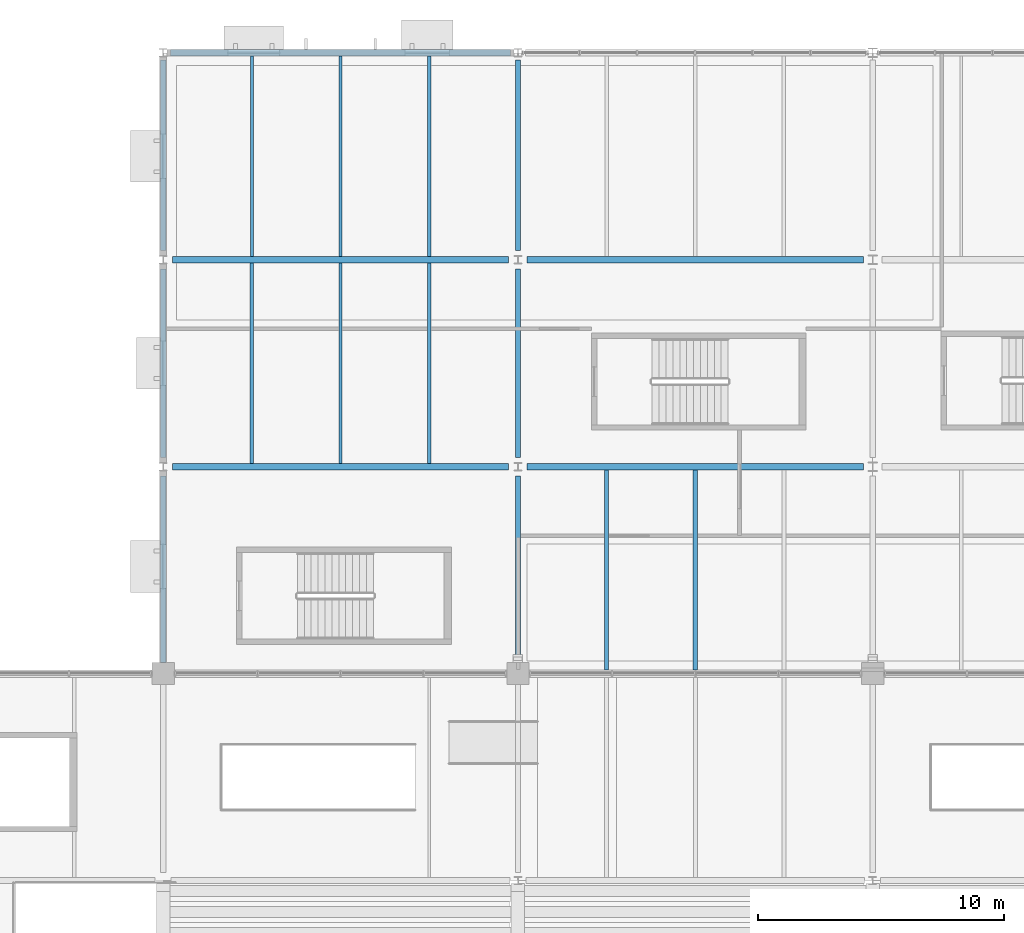
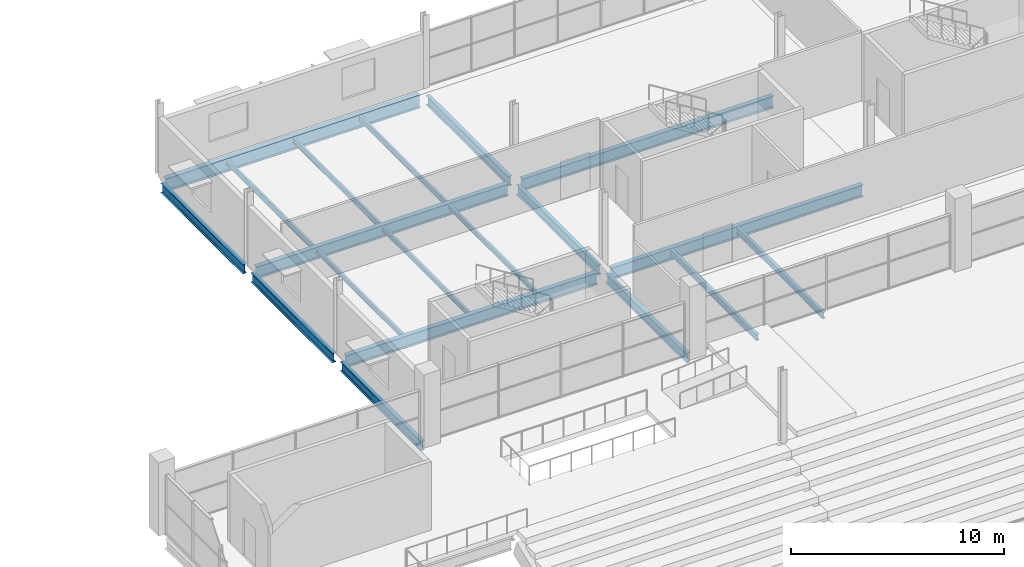
# One storey, part 60 of 161: 19 beams.
"""IFC4 building model written with IfcOpenShell, lengths in metres."""

from ifc_helpers import new_model, si_unit, direction, frame, origin, origin_2d, place, context, subcontext, project, spatial, i_section, extrude, material, material_profile, profile_set, type_object, element, save


model = new_model("IFC4")

# Units and contexts
model_context = context("Model", 3, precision=1e-05, world=origin(), true_north=direction((0.0, 1.0)))
body_context = subcontext(model_context, "Body", "Model", "MODEL_VIEW")
ifc_project = project(units=[si_unit("LENGTHUNIT", "METRE"), si_unit("AREAUNIT", "SQUARE_METRE"), si_unit("VOLUMEUNIT", "CUBIC_METRE"), si_unit("PLANEANGLEUNIT", "RADIAN"), si_unit("MASSUNIT", "GRAM", prefix="KILO"), si_unit("THERMODYNAMICTEMPERATUREUNIT", "KELVIN")], contexts=[model_context])

# Site, building, storey
site_placement = place(None, origin())
site = spatial("IfcSite", under=ifc_project, at=site_placement, CompositionType="ELEMENT")
building_placement = place(site_placement, origin())
building = spatial("IfcBuilding", under=site, at=building_placement, Name="Nduvali Passage Aquatics Centre", CompositionType="ELEMENT")
storey_placement = place(building_placement, frame((0.0, 0.0, 4.800048828125)))
storey = spatial("IfcBuildingStorey", under=building, at=storey_placement, Name="L01", CompositionType="ELEMENT", Elevation=4.800048828125)

# Beams
ifc_material = material(Name="Steel S355", Category="steel")
ifc_material_profile_1 = material_profile(ifc_material, i_section(OverallWidth=0.210693359375, OverallDepth=0.53955078125, WebThickness=0.01171875, FlangeThickness=0.018798828125, FilletRadius=0.0126953125, at=origin_2d()), Name="UKB 533x210x109")
ifc_profile_set_1 = profile_set([ifc_material_profile_1], Name="Steel S355")
beam_type_1 = type_object("IfcBeamType", Name="STR-BM-UKB533", PredefinedType="BEAM", material=ifc_profile_set_1)
beam_1_placement = place(storey_placement, frame((54.0, 92.85009765625, -0.553955078125), z_axis=(0.0, 1.0, 0.0), x_axis=(-1.0, 0.0, 0.0)))
element("IfcBeam", 1, at=beam_1_placement, inside=storey, type_object=beam_type_1, Name="L01 Primary Y-Girder B6-0589", PredefinedType="BEAM", context=body_context, shape_type="SweptSolid", body=[
    extrude(i_section(OverallWidth=0.210693359375, OverallDepth=0.53955078125, WebThickness=0.01171875, FlangeThickness=0.018798828125, FilletRadius=0.0126953125, at=origin_2d()), origin(), (0.0, 0.0, 1.0), 7.574951171875),
])
beam_2_placement = place(storey_placement, frame((54.0, 101.175048828125, -0.553955078125), z_axis=(0.0, 1.0, 0.0), x_axis=(-1.0, 0.0, 0.0)))
element("IfcBeam", 2, at=beam_2_placement, inside=storey, type_object=beam_type_1, Name="L01 Primary Y-Girder B6-0590", PredefinedType="BEAM", context=body_context, shape_type="SweptSolid", body=[
    extrude(i_section(OverallWidth=0.210693359375, OverallDepth=0.53955078125, WebThickness=0.01171875, FlangeThickness=0.018798828125, FilletRadius=0.0126953125, at=origin_2d()), origin(), (0.0, 0.0, 1.0), 7.64990234375),
])
beam_3_placement = place(storey_placement, frame((54.0, 109.574951171875, -0.553955078125), z_axis=(0.0, 1.0, 0.0), x_axis=(-1.0, 0.0, 0.0)))
element("IfcBeam", 3, at=beam_3_placement, inside=storey, type_object=beam_type_1, Name="L01 Primary Y-Girder B6-0591", PredefinedType="BEAM", context=body_context, shape_type="SweptSolid", body=[
    extrude(i_section(OverallWidth=0.210693359375, OverallDepth=0.53955078125, WebThickness=0.01171875, FlangeThickness=0.018798828125, FilletRadius=0.0126953125, at=origin_2d()), origin(), (0.0, 0.0, 1.0), 7.72509765625),
])
ifc_material_profile_2 = material_profile(ifc_material, i_section(OverallWidth=0.210693359375, OverallDepth=0.53955078125, WebThickness=0.01171875, FlangeThickness=0.018798828125, FilletRadius=0.0126953125, at=origin_2d()), Name="UKB 533x210x109")
ifc_profile_set_2 = profile_set([ifc_material_profile_2], Name="Steel S355")
beam_type_2 = type_object("IfcBeamType", Name="STR-BM-UKB533-EXT", PredefinedType="BEAM", material=ifc_profile_set_2)
beam_4_placement = place(storey_placement, frame((39.60009765625, 92.85009765625, -0.553955078125), z_axis=(0.0, 1.0, 0.0), x_axis=(-1.0, 0.0, 0.0)))
element("IfcBeam", 4, at=beam_4_placement, inside=storey, type_object=beam_type_2, Name="L01 Primary Y-Girder B6E-0581", PredefinedType="BEAM", context=body_context, shape_type="SweptSolid", body=[
    extrude(i_section(OverallWidth=0.210693359375, OverallDepth=0.53955078125, WebThickness=0.01171875, FlangeThickness=0.018798828125, FilletRadius=0.0126953125, at=origin_2d()), origin(), (0.0, 0.0, 1.0), 7.574951171875),
])
beam_5_placement = place(storey_placement, frame((39.60009765625, 101.175048828125, -0.553955078125), z_axis=(0.0, 1.0, 0.0), x_axis=(-1.0, 0.0, 0.0)))
element("IfcBeam", 5, at=beam_5_placement, inside=storey, type_object=beam_type_2, Name="L01 Primary Y-Girder B6E-0582", PredefinedType="BEAM", context=body_context, shape_type="SweptSolid", body=[
    extrude(i_section(OverallWidth=0.210693359375, OverallDepth=0.53955078125, WebThickness=0.01171875, FlangeThickness=0.018798828125, FilletRadius=0.0126953125, at=origin_2d()), origin(), (0.0, 0.0, 1.0), 7.64990234375),
])
beam_6_placement = place(storey_placement, frame((39.60009765625, 109.574951171875, -0.553955078125), z_axis=(0.0, 1.0, 0.0), x_axis=(-1.0, 0.0, 0.0)))
element("IfcBeam", 6, at=beam_6_placement, inside=storey, type_object=beam_type_2, Name="L01 Primary Y-Girder B6E-0583", PredefinedType="BEAM", context=body_context, shape_type="SweptSolid", body=[
    extrude(i_section(OverallWidth=0.210693359375, OverallDepth=0.53955078125, WebThickness=0.01171875, FlangeThickness=0.018798828125, FilletRadius=0.0126953125, at=origin_2d()), origin(), (0.0, 0.0, 1.0), 7.72509765625),
])
ifc_material_profile_3 = material_profile(ifc_material, i_section(OverallWidth=0.253662109375, OverallDepth=0.68359375, WebThickness=0.012451171875, FlangeThickness=0.01904296875, FilletRadius=0.01513671875, at=origin_2d()), Name="UKB 686x254x140")
ifc_profile_set_3 = profile_set([ifc_material_profile_3], Name="Steel S355")
beam_type_3 = type_object("IfcBeamType", Name="STR-BM-UKB686", PredefinedType="BEAM", material=ifc_profile_set_3)
for number, where, z_axis, x_axis, name in (
    (7, (39.97509765625, 100.800048828125, -0.625732421875), (1.0, 0.0, 0.0), (0.0, 1.0, 0.0), "L01 Primary X-Girder B4-0537"),
    (8, (54.375, 100.800048828125, -0.625732421875), (1.0, 0.0, 0.0), (0.0, 1.0, 0.0), "L01 Primary X-Girder B4-0538"),
    (9, (39.97509765625, 109.199951171875, -0.625732421875), (1.0, 0.0, 0.0), (0.0, 1.0, 0.0), "L01 Primary X-Girder B4-0544"),
    (10, (54.375, 109.199951171875, -0.625732421875), (1.0, 0.0, 0.0), (0.0, 1.0, 0.0), "L01 Primary X-Girder B4-0545"),
):
    element("IfcBeam", number, at=place(storey_placement, frame(where, z_axis=z_axis, x_axis=x_axis)), inside=storey, type_object=beam_type_3, Name=name, PredefinedType="BEAM", context=body_context, shape_type="SweptSolid", body=[
        extrude(i_section(OverallWidth=0.253662109375, OverallDepth=0.68359375, WebThickness=0.012451171875, FlangeThickness=0.01904296875, FilletRadius=0.01513671875, at=origin_2d()), origin(), (0.0, 0.0, 1.0), 13.64990234375),
    ])
ifc_material_profile_4 = material_profile(ifc_material, i_section(OverallWidth=0.2666015625, OverallDepth=0.76220703125, WebThickness=0.014404296875, FlangeThickness=0.021484375, FilletRadius=0.0166015625, at=origin_2d()), Name="UKB 762x267x173")
ifc_profile_set_4 = profile_set([ifc_material_profile_4], Name="Steel S355")
beam_type_4 = type_object("IfcBeamType", Name="STR-BM-UKB762-EXT", PredefinedType="BEAM", material=ifc_profile_set_4)
beam_7_placement = place(storey_placement, frame((39.89990234375, 117.60009765625, -0.6650390625), z_axis=(1.0, 0.0, 0.0), x_axis=(0.0, 1.0, 0.0)))
element("IfcBeam", 11, at=beam_7_placement, inside=storey, type_object=beam_type_4, Name="L01 Primary X-Girder B4CE-0551", PredefinedType="BEAM", context=body_context, shape_type="SweptSolid", body=[
    extrude(i_section(OverallWidth=0.2666015625, OverallDepth=0.76220703125, WebThickness=0.014404296875, FlangeThickness=0.021484375, FilletRadius=0.0166015625, at=origin_2d()), origin(), (0.0, 0.0, 1.0), 13.800048828125),
])
ifc_material_profile_5 = material_profile(ifc_material, i_section(OverallWidth=0.135009765625, OverallDepth=0.27001953125, WebThickness=0.006591796875, FlangeThickness=0.01025390625, FilletRadius=0.014892578125, at=origin_2d()), Name="IPE 270")
ifc_profile_set_5 = profile_set([ifc_material_profile_5], Name="Steel S355")
beam_type_5 = type_object("IfcBeamType", Name="STR-JST-IPE270", PredefinedType="JOIST", material=ifc_profile_set_5)
for number, where, z_axis, x_axis, name in (
    (12, (43.199951171875, 100.9267578125, -0.4189453125), (0.0, 1.0, 0.0), (-1.0, 0.0, 0.0), "L01 Secondary Joist J8-0833"),
    (13, (46.800048828125, 100.9267578125, -0.4189453125), (0.0, 1.0, 0.0), (-1.0, 0.0, 0.0), "L01 Secondary Joist J8-0834"),
    (14, (50.39990234375, 100.9267578125, -0.4189453125), (0.0, 1.0, 0.0), (-1.0, 0.0, 0.0), "L01 Secondary Joist J8-0835"),
):
    element("IfcBeam", number, at=place(storey_placement, frame(where, z_axis=z_axis, x_axis=x_axis)), inside=storey, type_object=beam_type_5, Name=name, PredefinedType="JOIST", context=body_context, shape_type="SweptSolid", body=[
        extrude(i_section(OverallWidth=0.135009765625, OverallDepth=0.27001953125, WebThickness=0.006591796875, FlangeThickness=0.01025390625, FilletRadius=0.014892578125, at=origin_2d()), origin(), (0.0, 0.0, 1.0), 8.146484375),
    ])
ifc_material_profile_6 = material_profile(ifc_material, i_section(OverallWidth=0.124267578125, OverallDepth=0.30712890625, WebThickness=0.008056640625, FlangeThickness=0.01220703125, FilletRadius=0.0087890625, at=origin_2d()), Name="UKB 305x127x42")
ifc_profile_set_6 = profile_set([ifc_material_profile_6], Name="Steel S355")
beam_type_6 = type_object("IfcBeamType", Name="STR-JST-UKB305L", PredefinedType="JOIST", material=ifc_profile_set_6)
for number, where, z_axis, x_axis, name in (
    (15, (43.199951171875, 109.326904296875, -0.437744140625), (0.0, 1.0, 0.0), (-1.0, 0.0, 0.0), "L01 Secondary Joist J3A-0841"),
    (16, (46.800048828125, 109.326904296875, -0.437744140625), (0.0, 1.0, 0.0), (-1.0, 0.0, 0.0), "L01 Secondary Joist J3A-0842"),
    (17, (50.39990234375, 109.326904296875, -0.437744140625), (0.0, 1.0, 0.0), (-1.0, 0.0, 0.0), "L01 Secondary Joist J3A-0843"),
):
    element("IfcBeam", number, at=place(storey_placement, frame(where, z_axis=z_axis, x_axis=x_axis)), inside=storey, type_object=beam_type_6, Name=name, PredefinedType="JOIST", context=body_context, shape_type="SweptSolid", body=[
        extrude(i_section(OverallWidth=0.124267578125, OverallDepth=0.30712890625, WebThickness=0.008056640625, FlangeThickness=0.01220703125, FilletRadius=0.0087890625, at=origin_2d()), origin(), (0.0, 0.0, 1.0), 8.139892578125),
    ])
ifc_material_profile_7 = material_profile(ifc_material, i_section(OverallWidth=0.172119140625, OverallDepth=0.35791015625, WebThickness=0.008056640625, FlangeThickness=0.012939453125, FilletRadius=0.01025390625, at=origin_2d()), Name="UKB 356x171x57")
ifc_profile_set_7 = profile_set([ifc_material_profile_7], Name="Steel S355")
beam_type_7 = type_object("IfcBeamType", Name="STR-JST-UKB356", PredefinedType="JOIST", material=ifc_profile_set_7)
for number, where, z_axis, x_axis, name in (
    (18, (57.60009765625, 92.552001953125, -0.463134765625), (0.0, 1.0, 0.0), (-1.0, 0.0, 0.0), "L01 Secondary Joist J2-0817"),
    (19, (61.199951171875, 92.552001953125, -0.463134765625), (0.0, 1.0, 0.0), (-1.0, 0.0, 0.0), "L01 Secondary Joist J2-0818"),
):
    element("IfcBeam", number, at=place(storey_placement, frame(where, z_axis=z_axis, x_axis=x_axis)), inside=storey, type_object=beam_type_7, Name=name, PredefinedType="JOIST", context=body_context, shape_type="SweptSolid", body=[
        extrude(i_section(OverallWidth=0.172119140625, OverallDepth=0.35791015625, WebThickness=0.008056640625, FlangeThickness=0.012939453125, FilletRadius=0.01025390625, at=origin_2d()), origin(), (0.0, 0.0, 1.0), 8.12109375),
    ])

save(model, "model.ifc")
